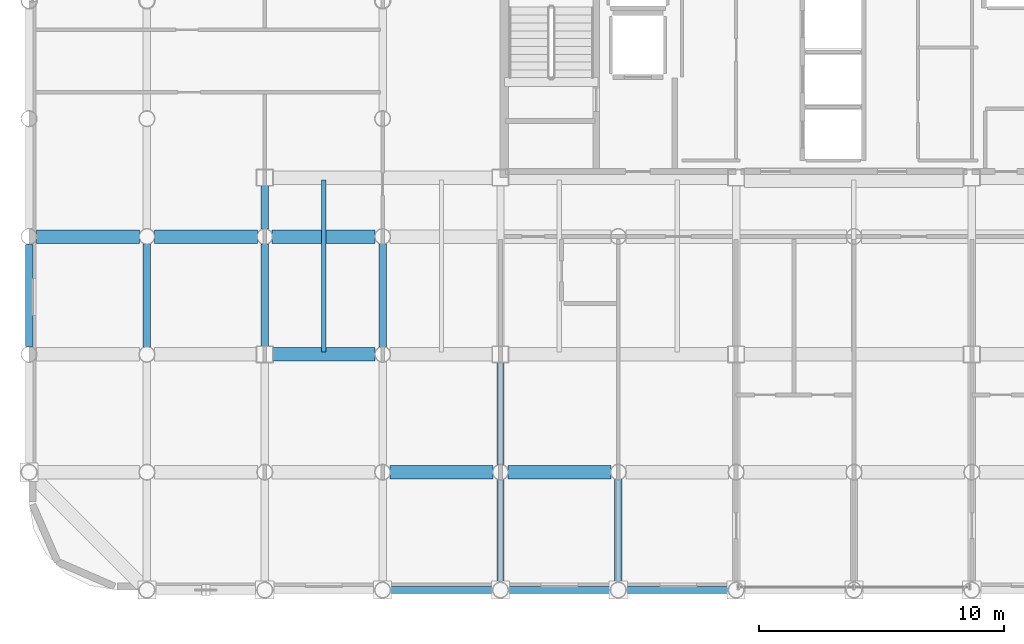
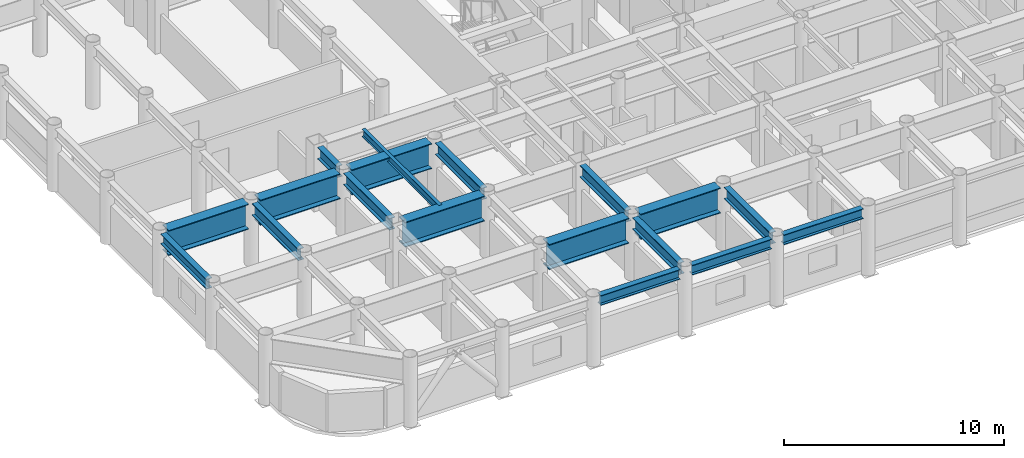
# One storey, part 2 of 22: 18 beams.
"""IFC4 building model written with IfcOpenShell, lengths in metres."""

from ifc_helpers import new_model, si_unit, direction, frame, origin, origin_2d, place, context, subcontext, project, spatial, i_section, extrude, material, material_profile, profile_set, type_object, element, save


model = new_model("IFC4")

# Units and contexts
model_context = context("Model", 3, precision=1e-05, world=origin(), true_north=direction((0.0, 1.0)))
body_context = subcontext(model_context, "Body", "Model", "MODEL_VIEW")
ifc_project = project(units=[si_unit("LENGTHUNIT", "METRE"), si_unit("AREAUNIT", "SQUARE_METRE"), si_unit("VOLUMEUNIT", "CUBIC_METRE"), si_unit("PLANEANGLEUNIT", "RADIAN"), si_unit("MASSUNIT", "GRAM", prefix="KILO")], contexts=[model_context])

# Site, building, storey
site_placement = place(None, origin())
site = spatial("IfcSite", under=ifc_project, at=site_placement, CompositionType="ELEMENT")
building_placement = place(site_placement, origin())
building = spatial("IfcBuilding", under=site, at=building_placement, Name="Kallvorn Hotel Tower", CompositionType="ELEMENT")
storey_placement = place(building_placement, frame((0.0, 0.0, 154.39990234375)))
storey = spatial("IfcBuildingStorey", under=building, at=storey_placement, Name="L38", CompositionType="ELEMENT", Elevation=154.39990234375)

# Beams
ifc_material_1 = material(Name="Structural steel S355JR", Category="steel")
ifc_material_profile_1 = material_profile(ifc_material_1, i_section(OverallWidth=0.300048828125, OverallDepth=0.550048828125, WebThickness=0.014892578125, FlangeThickness=0.029052734375, at=origin_2d()), Name="HE 550 B")
ifc_profile_set_1 = profile_set([ifc_material_profile_1], Name="Structural steel S355JR")
beam_type_1 = type_object("IfcBeamType", Name="BM_HE550B", PredefinedType="SPANDREL", material=ifc_profile_set_1)
beam_1_placement = place(storey_placement, frame((-18.8798828125, -24.0, 3.2451171875), z_axis=(1.0, 0.0, 0.0), x_axis=(0.0, 1.0, 0.0)))
element("IfcBeam", 1, at=beam_1_placement, inside=storey, type_object=beam_type_1, Name="L39 Perimeter Spandrel 153", PredefinedType="SPANDREL", context=body_context, shape_type="SweptSolid", body=[
    extrude(i_section(OverallWidth=0.300048828125, OverallDepth=0.550048828125, WebThickness=0.014892578125, FlangeThickness=0.029052734375, at=origin_2d()), origin(), (0.0, 0.0, 1.0), 4.159912109375),
])
beam_2_placement = place(storey_placement, frame((-14.080078125, -24.0, 3.2451171875), z_axis=(1.0, 0.0, 0.0), x_axis=(0.0, 1.0, 0.0)))
element("IfcBeam", 2, at=beam_2_placement, inside=storey, type_object=beam_type_1, Name="L39 Perimeter Spandrel 154", PredefinedType="SPANDREL", context=body_context, shape_type="SweptSolid", body=[
    extrude(i_section(OverallWidth=0.300048828125, OverallDepth=0.550048828125, WebThickness=0.014892578125, FlangeThickness=0.029052734375, at=origin_2d()), origin(), (0.0, 0.0, 1.0), 4.16015625),
])
beam_3_placement = place(storey_placement, frame((-9.280029296875, -24.0, 3.2451171875), z_axis=(1.0, 0.0, 0.0), x_axis=(0.0, 1.0, 0.0)))
element("IfcBeam", 3, at=beam_3_placement, inside=storey, type_object=beam_type_1, Name="L39 Perimeter Spandrel 155", PredefinedType="SPANDREL", context=body_context, shape_type="SweptSolid", body=[
    extrude(i_section(OverallWidth=0.300048828125, OverallDepth=0.550048828125, WebThickness=0.014892578125, FlangeThickness=0.029052734375, at=origin_2d()), origin(), (0.0, 0.0, 1.0), 4.159912109375),
])
beam_4_placement = place(storey_placement, frame((-33.60009765625, -14.080078125, 3.2451171875), z_axis=(0.0, 1.0, 0.0), x_axis=(-1.0, 0.0, 0.0)))
element("IfcBeam", 4, at=beam_4_placement, inside=storey, type_object=beam_type_1, Name="L39 Perimeter Spandrel 175", PredefinedType="SPANDREL", context=body_context, shape_type="SweptSolid", body=[
    extrude(i_section(OverallWidth=0.300048828125, OverallDepth=0.550048828125, WebThickness=0.014892578125, FlangeThickness=0.029052734375, at=origin_2d()), origin(), (0.0, 0.0, 1.0), 4.16015625),
])
ifc_material_2 = material(Name="Structural steel S355JR", Category="steel")
ifc_material_profile_2 = material_profile(ifc_material_2, i_section(OverallWidth=0.300048828125, OverallDepth=0.64990234375, WebThickness=0.01611328125, FlangeThickness=0.031005859375, at=origin_2d()), Name="HE 650 B")
ifc_profile_set_2 = profile_set([ifc_material_profile_2], Name="Structural steel S355JR")
beam_type_2 = type_object("IfcBeamType", Name="BM_HE650B", PredefinedType="BEAM", material=ifc_profile_set_2)
beam_5_placement = place(storey_placement, frame((-28.800048828125, -14.094970703125, 3.195068359375), z_axis=(0.0, 1.0, 0.0), x_axis=(-1.0, 0.0, 0.0)))
element("IfcBeam", 5, at=beam_5_placement, inside=storey, type_object=beam_type_2, Name="L39 Primary Y-Girder 75", PredefinedType="BEAM", context=body_context, shape_type="SweptSolid", body=[
    extrude(i_section(OverallWidth=0.300048828125, OverallDepth=0.64990234375, WebThickness=0.01611328125, FlangeThickness=0.031005859375, at=origin_2d()), origin(), (0.0, 0.0, 1.0), 4.18994140625),
])
beam_6_placement = place(storey_placement, frame((-24.0, -14.074951171875, 3.195068359375), z_axis=(0.0, 1.0, 0.0), x_axis=(-1.0, 0.0, 0.0)))
element("IfcBeam", 6, at=beam_6_placement, inside=storey, type_object=beam_type_2, Name="L39 Primary Y-Girder 84", PredefinedType="BEAM", context=body_context, shape_type="SweptSolid", body=[
    extrude(i_section(OverallWidth=0.300048828125, OverallDepth=0.64990234375, WebThickness=0.01611328125, FlangeThickness=0.031005859375, at=origin_2d()), origin(), (0.0, 0.0, 1.0), 4.169921875),
])
beam_7_placement = place(storey_placement, frame((-24.0, -9.294921875, 3.195068359375), z_axis=(0.0, 1.0, 0.0), x_axis=(-1.0, 0.0, 0.0)))
element("IfcBeam", 7, at=beam_7_placement, inside=storey, type_object=beam_type_2, Name="L39 Primary Y-Girder 85", PredefinedType="BEAM", context=body_context, shape_type="SweptSolid", body=[
    extrude(i_section(OverallWidth=0.300048828125, OverallDepth=0.64990234375, WebThickness=0.01611328125, FlangeThickness=0.031005859375, at=origin_2d()), origin(), (0.0, 0.0, 1.0), 1.77001953125),
])
beam_8_placement = place(storey_placement, frame((-19.199951171875, -14.094970703125, 3.195068359375), z_axis=(0.0, 1.0, 0.0), x_axis=(-1.0, 0.0, 0.0)))
element("IfcBeam", 8, at=beam_8_placement, inside=storey, type_object=beam_type_2, Name="L39 Primary Y-Girder 91", PredefinedType="BEAM", context=body_context, shape_type="SweptSolid", body=[
    extrude(i_section(OverallWidth=0.300048828125, OverallDepth=0.64990234375, WebThickness=0.01611328125, FlangeThickness=0.031005859375, at=origin_2d()), origin(), (0.0, 0.0, 1.0), 4.18994140625),
])
beam_9_placement = place(storey_placement, frame((-14.39990234375, -23.695068359375, 3.195068359375), z_axis=(0.0, 1.0, 0.0), x_axis=(-1.0, 0.0, 0.0)))
element("IfcBeam", 9, at=beam_9_placement, inside=storey, type_object=beam_type_2, Name="L39 Primary Y-Girder 98", PredefinedType="BEAM", context=body_context, shape_type="SweptSolid", body=[
    extrude(i_section(OverallWidth=0.300048828125, OverallDepth=0.64990234375, WebThickness=0.01611328125, FlangeThickness=0.031005859375, at=origin_2d()), origin(), (0.0, 0.0, 1.0), 4.190185546875),
])
beam_10_placement = place(storey_placement, frame((-14.39990234375, -18.89501953125, 3.195068359375), z_axis=(0.0, 1.0, 0.0), x_axis=(-1.0, 0.0, 0.0)))
element("IfcBeam", 10, at=beam_10_placement, inside=storey, type_object=beam_type_2, Name="L39 Primary Y-Girder 99", PredefinedType="BEAM", context=body_context, shape_type="SweptSolid", body=[
    extrude(i_section(OverallWidth=0.300048828125, OverallDepth=0.64990234375, WebThickness=0.01611328125, FlangeThickness=0.031005859375, at=origin_2d()), origin(), (0.0, 0.0, 1.0), 4.169921875),
])
beam_11_placement = place(storey_placement, frame((-9.60009765625, -23.695068359375, 3.195068359375), z_axis=(0.0, 1.0, 0.0), x_axis=(-1.0, 0.0, 0.0)))
element("IfcBeam", 11, at=beam_11_placement, inside=storey, type_object=beam_type_2, Name="L39 Primary Y-Girder 103", PredefinedType="BEAM", context=body_context, shape_type="SweptSolid", body=[
    extrude(i_section(OverallWidth=0.300048828125, OverallDepth=0.64990234375, WebThickness=0.01611328125, FlangeThickness=0.031005859375, at=origin_2d()), origin(), (0.0, 0.0, 1.0), 4.190185546875),
])
ifc_material_3 = material(Name="Structural steel S355JR", Category="steel")
ifc_material_profile_3 = material_profile(ifc_material_3, i_section(OverallWidth=0.179931640625, OverallDepth=0.39990234375, WebThickness=0.008544921875, FlangeThickness=0.013427734375, at=origin_2d()), Name="IPE 400")
ifc_profile_set_3 = profile_set([ifc_material_profile_3], Name="Structural steel S355JR")
beam_type_3 = type_object("IfcBeamType", Name="BM_IPE400", PredefinedType="JOIST", material=ifc_profile_set_3)
beam_12_placement = place(storey_placement, frame((-21.60009765625, -14.300048828125, 3.320068359375), z_axis=(0.0, 1.0, 0.0), x_axis=(-1.0, 0.0, 0.0)))
element("IfcBeam", 12, at=beam_12_placement, inside=storey, type_object=beam_type_3, Name="L39 Secondary Composite Joist 192", PredefinedType="JOIST", context=body_context, shape_type="SweptSolid", body=[
    extrude(i_section(OverallWidth=0.179931640625, OverallDepth=0.39990234375, WebThickness=0.008544921875, FlangeThickness=0.013427734375, at=origin_2d()), origin(), (0.0, 0.0, 1.0), 7.0),
])
ifc_material_4 = material(Name="Structural steel S355JR", Category="steel")
ifc_material_profile_4 = material_profile(ifc_material_4, i_section(OverallWidth=0.550048828125, OverallDepth=1.39990234375, WebThickness=0.02490234375, FlangeThickness=0.044921875, at=origin_2d()), Name="PG 1400x550x25x45")
ifc_profile_set_4 = profile_set([ifc_material_profile_4], Name="Structural steel S355JR")
beam_type_4 = type_object("IfcBeamType", Name="BM_PG_1400", PredefinedType="BEAM", material=ifc_profile_set_4)
for number, where, z_axis, x_axis, name in (
    (13, (-18.89501953125, -19.199951171875, 2.820068359375), (1.0, 0.0, 0.0), (0.0, 1.0, 0.0), "L39 Primary X-Girder 04"),
    (14, (-14.094970703125, -19.199951171875, 2.820068359375), (1.0, 0.0, 0.0), (0.0, 1.0, 0.0), "L39 Primary X-Girder 05"),
):
    element("IfcBeam", number, at=place(storey_placement, frame(where, z_axis=z_axis, x_axis=x_axis)), inside=storey, type_object=beam_type_4, Name=name, PredefinedType="BEAM", context=body_context, shape_type="SweptSolid", body=[
        extrude(i_section(OverallWidth=0.550048828125, OverallDepth=1.39990234375, WebThickness=0.02490234375, FlangeThickness=0.044921875, at=origin_2d()), origin(), (0.0, 0.0, 1.0), 4.18994140625),
    ])
beam_13_placement = place(storey_placement, frame((-23.675048828125, -14.39990234375, 2.820068359375), z_axis=(1.0, 0.0, 0.0), x_axis=(0.0, 1.0, 0.0)))
element("IfcBeam", 15, at=beam_13_placement, inside=storey, type_object=beam_type_4, Name="L39 Primary X-Girder 16", PredefinedType="BEAM", context=body_context, shape_type="SweptSolid", body=[
    extrude(i_section(OverallWidth=0.550048828125, OverallDepth=1.39990234375, WebThickness=0.02490234375, FlangeThickness=0.044921875, at=origin_2d()), origin(), (0.0, 0.0, 1.0), 4.170166015625),
])
beam_14_placement = place(storey_placement, frame((-33.294921875, -9.60009765625, 2.820068359375), z_axis=(1.0, 0.0, 0.0), x_axis=(0.0, 1.0, 0.0)))
element("IfcBeam", 16, at=beam_14_placement, inside=storey, type_object=beam_type_4, Name="L39 Primary X-Girder 24", PredefinedType="BEAM", context=body_context, shape_type="SweptSolid", body=[
    extrude(i_section(OverallWidth=0.550048828125, OverallDepth=1.39990234375, WebThickness=0.02490234375, FlangeThickness=0.044921875, at=origin_2d()), origin(), (0.0, 0.0, 1.0), 4.18994140625),
])
for number, where, z_axis, x_axis, name in (
    (17, (-28.4951171875, -9.60009765625, 2.820068359375), (1.0, 0.0, 0.0), (0.0, 1.0, 0.0), "L39 Primary X-Girder 25"),
    (18, (-23.695068359375, -9.60009765625, 2.820068359375), (1.0, 0.0, 0.0), (0.0, 1.0, 0.0), "L39 Primary X-Girder 26"),
):
    element("IfcBeam", number, at=place(storey_placement, frame(where, z_axis=z_axis, x_axis=x_axis)), inside=storey, type_object=beam_type_4, Name=name, PredefinedType="BEAM", context=body_context, shape_type="SweptSolid", body=[
        extrude(i_section(OverallWidth=0.550048828125, OverallDepth=1.39990234375, WebThickness=0.02490234375, FlangeThickness=0.044921875, at=origin_2d()), origin(), (0.0, 0.0, 1.0), 4.190185546875),
    ])

save(model, "model.ifc")
